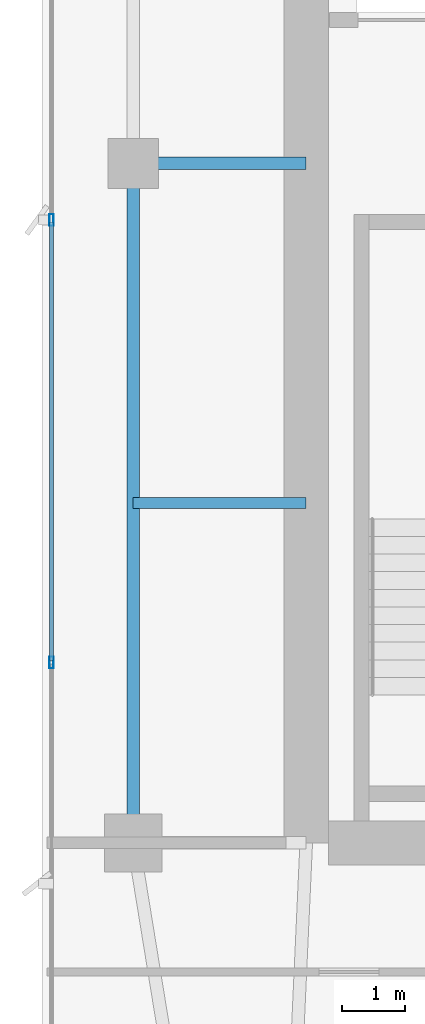
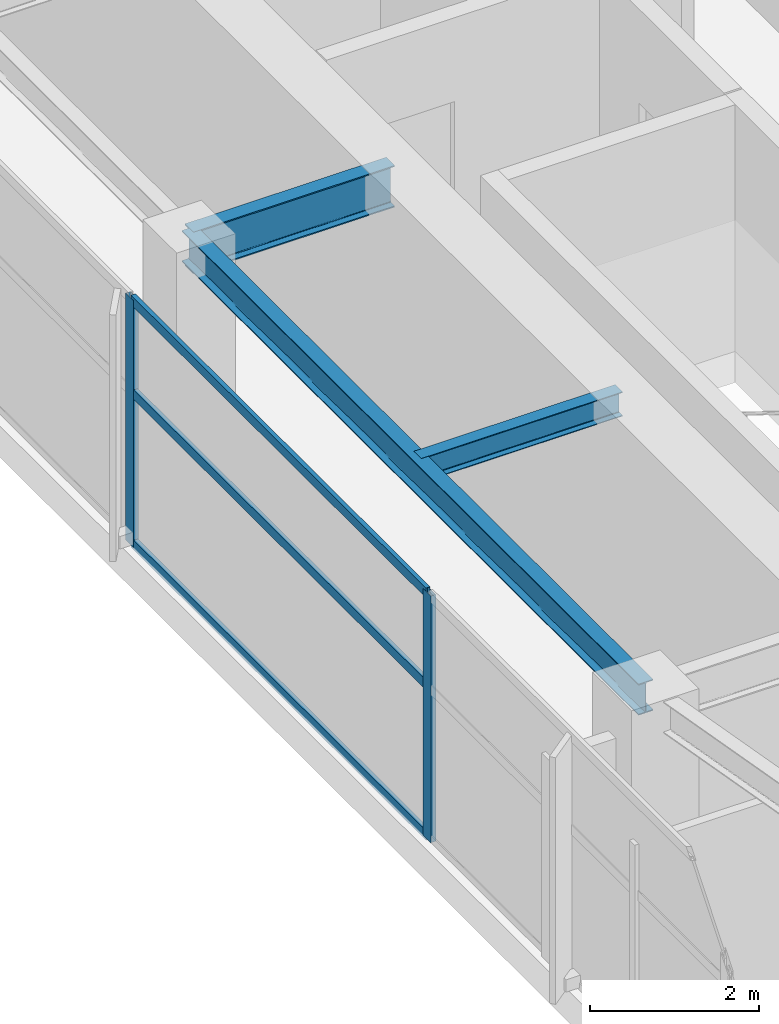
# One storey, part 8 of 28: 5 members, 3 beams, 1 element without a shape of its own.
"""IFC4 building model written with IfcOpenShell, lengths in metres."""

from ifc_helpers import new_model, si_unit, direction, frame, origin, origin_2d, place, context, subcontext, project, spatial, hollow_rectangle, i_section, extrude, material, layer, layer_set, material_profile, profile_set, type_object, element, aggregate, save


model = new_model("IFC4")

# Units and contexts
model_context = context("Model", 3, precision=1e-05, world=origin(), true_north=direction((0.0, 1.0)))
body_context = subcontext(model_context, "Body", "Model", "MODEL_VIEW")
ifc_project = project(units=[si_unit("LENGTHUNIT", "METRE"), si_unit("AREAUNIT", "SQUARE_METRE"), si_unit("VOLUMEUNIT", "CUBIC_METRE"), si_unit("PLANEANGLEUNIT", "RADIAN"), si_unit("MASSUNIT", "GRAM", prefix="KILO")], contexts=[model_context])

# Site, building, storey
site_placement = place(None, origin())
site = spatial("IfcSite", under=ifc_project, at=site_placement, CompositionType="ELEMENT")
building_placement = place(site_placement, origin())
building = spatial("IfcBuilding", under=site, at=building_placement, Name="Calvorn Quay Hotel", CompositionType="ELEMENT")
storey_placement = place(building_placement, frame((0.0, 0.0, 219.300048828125)))
storey = spatial("IfcBuildingStorey", under=building, at=storey_placement, Name="L54", CompositionType="ELEMENT", Elevation=219.300048828125)

# Beams
ifc_material_1 = material(Name="Steel Q355B", Category="steel")
ifc_material_profile_1 = material_profile(ifc_material_1, i_section(OverallWidth=0.199951171875, OverallDepth=0.60009765625, WebThickness=0.010986328125, FlangeThickness=0.01708984375, FilletRadius=0.01806640625, at=origin_2d()), Name="HN600x200x11x17")
ifc_profile_set_1 = profile_set([ifc_material_profile_1], Name="Steel Q355B")
beam_type_1 = type_object("IfcBeamType", Name="BM-GIRD-TYP", PredefinedType="BEAM", material=ifc_profile_set_1)
beam_1_placement = place(storey_placement, frame((1.449951171875, 27.60009765625, 3.239990234375), z_axis=(1.0, 0.0, 0.0), x_axis=(0.0, 1.0, 0.0)))
element("IfcBeam", 1, at=beam_1_placement, inside=storey, type_object=beam_type_1, Name="Beam BG-L54-W2", PredefinedType="BEAM", context=body_context, shape_type="SweptSolid", body=[
    extrude(i_section(OverallWidth=0.199951171875, OverallDepth=0.60009765625, WebThickness=0.010986328125, FlangeThickness=0.01708984375, FilletRadius=0.01806640625, at=origin_2d()), origin(), (0.0, 0.0, 1.0), 2.75),
])
ifc_material_2 = material(Name="Steel Q355B", Category="steel")
ifc_material_profile_2 = material_profile(ifc_material_2, i_section(OverallWidth=0.175048828125, OverallDepth=0.35009765625, WebThickness=0.007080078125, FlangeThickness=0.010986328125, FilletRadius=0.013916015625, at=origin_2d()), Name="HN350x175x7x11")
ifc_profile_set_2 = profile_set([ifc_material_profile_2], Name="Steel Q355B")
beam_type_2 = type_object("IfcBeamType", Name="BM-JOIST-SEC", PredefinedType="JOIST", material=ifc_profile_set_2)
beam_2_placement = place(storey_placement, frame((1.449951171875, 22.199951171875, 3.364990234375), z_axis=(1.0, 0.0, 0.0), x_axis=(0.0, 1.0, 0.0)))
element("IfcBeam", 2, at=beam_2_placement, inside=storey, type_object=beam_type_2, Name="Beam BJ-L54-W3", PredefinedType="JOIST", context=body_context, shape_type="SweptSolid", body=[
    extrude(i_section(OverallWidth=0.175048828125, OverallDepth=0.35009765625, WebThickness=0.007080078125, FlangeThickness=0.010986328125, FilletRadius=0.013916015625, at=origin_2d()), origin(), (0.0, 0.0, 1.0), 2.75),
])
ifc_material_3 = material(Name="Steel Q355B", Category="steel")
ifc_material_profile_3 = material_profile(ifc_material_3, i_section(OverallWidth=0.199951171875, OverallDepth=0.449951171875, WebThickness=0.009033203125, FlangeThickness=0.013916015625, FilletRadius=0.01611328125, at=origin_2d()), Name="HN450x200x9x14")
ifc_profile_set_3 = profile_set([ifc_material_profile_3], Name="Steel Q355B")
beam_type_3 = type_object("IfcBeamType", Name="BM-SPANDREL-Z3", PredefinedType="SPANDREL", material=ifc_profile_set_3)
beam_3_placement = place(storey_placement, frame((1.449951171875, 16.800048828125, 3.31494140625), z_axis=(0.0, 1.0, 0.0), x_axis=(-1.0, 0.0, 0.0)))
element("IfcBeam", 3, at=beam_3_placement, inside=storey, type_object=beam_type_3, Name="Beam BSP-L54-W2", PredefinedType="SPANDREL", context=body_context, shape_type="SweptSolid", body=[
    extrude(i_section(OverallWidth=0.199951171875, OverallDepth=0.449951171875, WebThickness=0.009033203125, FlangeThickness=0.013916015625, FilletRadius=0.01611328125, at=origin_2d()), origin(), (0.0, 0.0, 1.0), 10.800048828125),
])

# Curtain wall, members
ifc_material_4 = material(Name="Champagne Bronze Anodised Aluminium and Low-E Glass", Category="aluminium")
ifc_layer = layer(ifc_material_4, 0.219970703125)
ifc_layer_set = layer_set([ifc_layer], Name="CW-SYS-Z3")
curtain_wall_type = type_object("IfcCurtainWallType", Name="CW-SYS-Z3", PredefinedType="NOTDEFINED", material=ifc_layer_set)
curtain_wall_placement = place(storey_placement, origin())
curtain_wall = element("IfcCurtainWall", 4, at=curtain_wall_placement, inside=storey, type_object=curtain_wall_type, Name="Tower West Curtain Wall (L54)", PredefinedType="NOTDEFINED")
ifc_material_5 = material(Name="Champagne Bronze Anodised Aluminium 6063-T6", Category="aluminium")
ifc_material_profile_4 = material_profile(ifc_material_5, hollow_rectangle(XDim=0.068115234375, YDim=0.18505859375, WallThickness=0.00390625, at=origin_2d()), Name="ALU-M185x68x4")
ifc_profile_set_4 = profile_set([ifc_material_profile_4], Name="Champagne Bronze Anodised Aluminium 6063-T6")
member_type_1 = type_object("IfcMemberType", Name="CW-SYS-Z3-MUL", PredefinedType="MULLION", material=ifc_profile_set_4)
member_1_placement = place(storey_placement, frame((0.14990234375, 19.666748046875, 0.0), z_axis=(0.0, 0.0, 1.0), x_axis=(-1.0, 0.0, 0.0)))
member_1 = element("IfcMember", 5, at=member_1_placement, type_object=member_type_1, Name="CW-L54-W mullion 3", PredefinedType="MULLION", context=body_context, shape_type="SweptSolid", body=[
    extrude(hollow_rectangle(XDim=0.068115234375, YDim=0.18505859375, WallThickness=0.00390625, at=origin_2d()), origin(), (0.0, 0.0, 1.0), 3.56005859375),
])
member_2_placement = place(storey_placement, frame((0.14990234375, 26.699951171875, 0.0), z_axis=(0.0, 0.0, 1.0), x_axis=(-1.0, 0.0, 0.0)))
member_2 = element("IfcMember", 6, at=member_2_placement, type_object=member_type_1, Name="CW-L54-W mullion 4", PredefinedType="MULLION", context=body_context, shape_type="SweptSolid", body=[
    extrude(hollow_rectangle(XDim=0.068115234375, YDim=0.18505859375, WallThickness=0.00390625, at=origin_2d()), origin(), (0.0, 0.0, 1.0), 3.56005859375),
])
ifc_material_6 = material(Name="Champagne Bronze Anodised Aluminium 6063-T6", Category="aluminium")
ifc_material_profile_5 = material_profile(ifc_material_6, hollow_rectangle(XDim=0.05810546875, YDim=0.139892578125, WallThickness=0.003173828125, at=origin_2d()), Name="ALU-T140x58x3.2")
ifc_profile_set_5 = profile_set([ifc_material_profile_5], Name="Champagne Bronze Anodised Aluminium 6063-T6")
member_type_2 = type_object("IfcMemberType", Name="CW-SYS-Z3-TRN", PredefinedType="USERDEFINED", material=ifc_profile_set_5)
member_3_placement = place(storey_placement, frame((0.14990234375, 19.69677734375, 0.030029296875), z_axis=(0.0, 1.0, 0.0), x_axis=(-1.0, 0.0, 0.0)))
member_3 = element("IfcMember", 7, at=member_3_placement, type_object=member_type_2, Name="CW-L54-W transom 3.1", ObjectType="TRANSOM", PredefinedType="USERDEFINED", context=body_context, shape_type="SweptSolid", body=[
    extrude(hollow_rectangle(XDim=0.05810546875, YDim=0.139892578125, WallThickness=0.003173828125, at=origin_2d()), origin(), (0.0, 0.0, 1.0), 6.97314453125),
])
member_4_placement = place(storey_placement, frame((0.14990234375, 19.69677734375, 2.199951171875), z_axis=(0.0, 1.0, 0.0), x_axis=(-1.0, 0.0, 0.0)))
member_4 = element("IfcMember", 8, at=member_4_placement, type_object=member_type_2, Name="CW-L54-W transom 3.2", ObjectType="TRANSOM", PredefinedType="USERDEFINED", context=body_context, shape_type="SweptSolid", body=[
    extrude(hollow_rectangle(XDim=0.05810546875, YDim=0.139892578125, WallThickness=0.003173828125, at=origin_2d()), origin(), (0.0, 0.0, 1.0), 6.97314453125),
])
member_5_placement = place(storey_placement, frame((0.14990234375, 19.69677734375, 3.530029296875), z_axis=(0.0, 1.0, 0.0), x_axis=(-1.0, 0.0, 0.0)))
member_5 = element("IfcMember", 9, at=member_5_placement, type_object=member_type_2, Name="CW-L54-W transom 3.3", ObjectType="TRANSOM", PredefinedType="USERDEFINED", context=body_context, shape_type="SweptSolid", body=[
    extrude(hollow_rectangle(XDim=0.05810546875, YDim=0.139892578125, WallThickness=0.003173828125, at=origin_2d()), origin(), (0.0, 0.0, 1.0), 6.97314453125),
])
aggregate(curtain_wall, [member_1, member_2, member_3, member_4, member_5])

save(model, "model.ifc")
